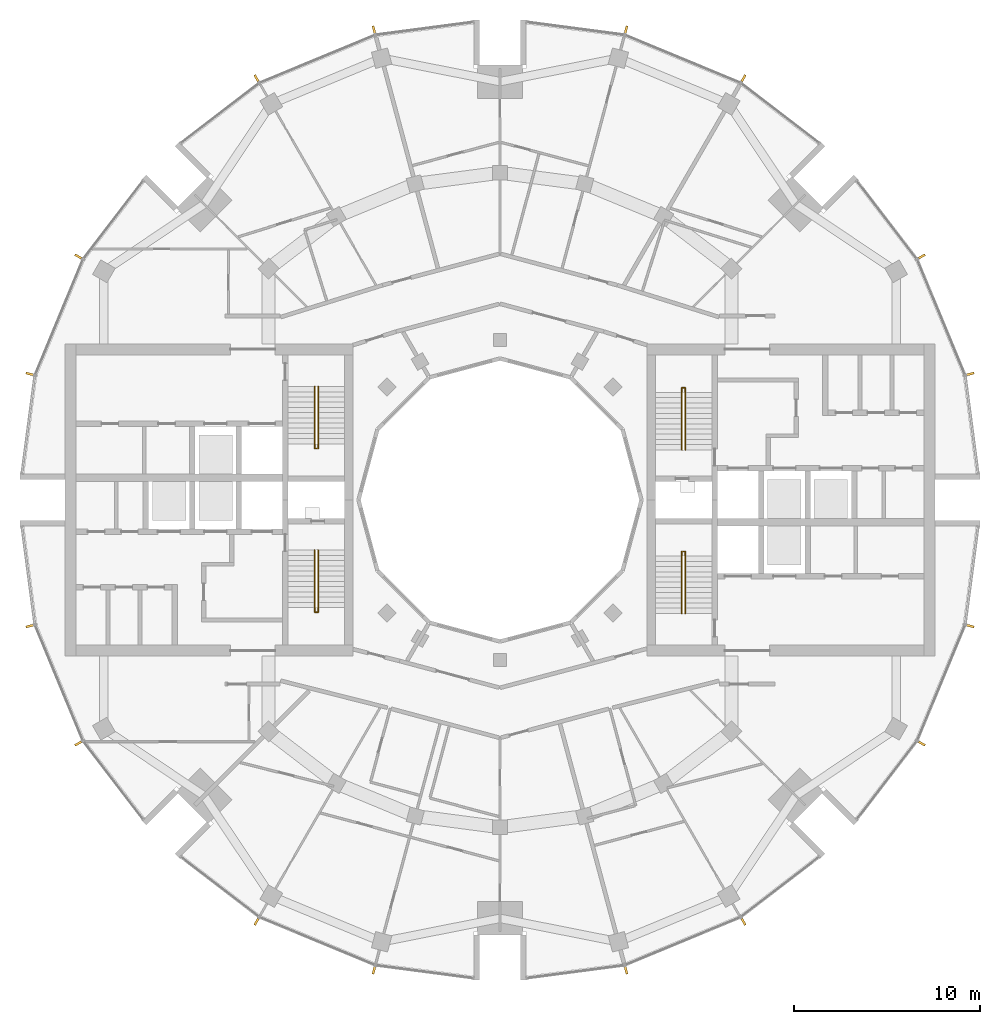
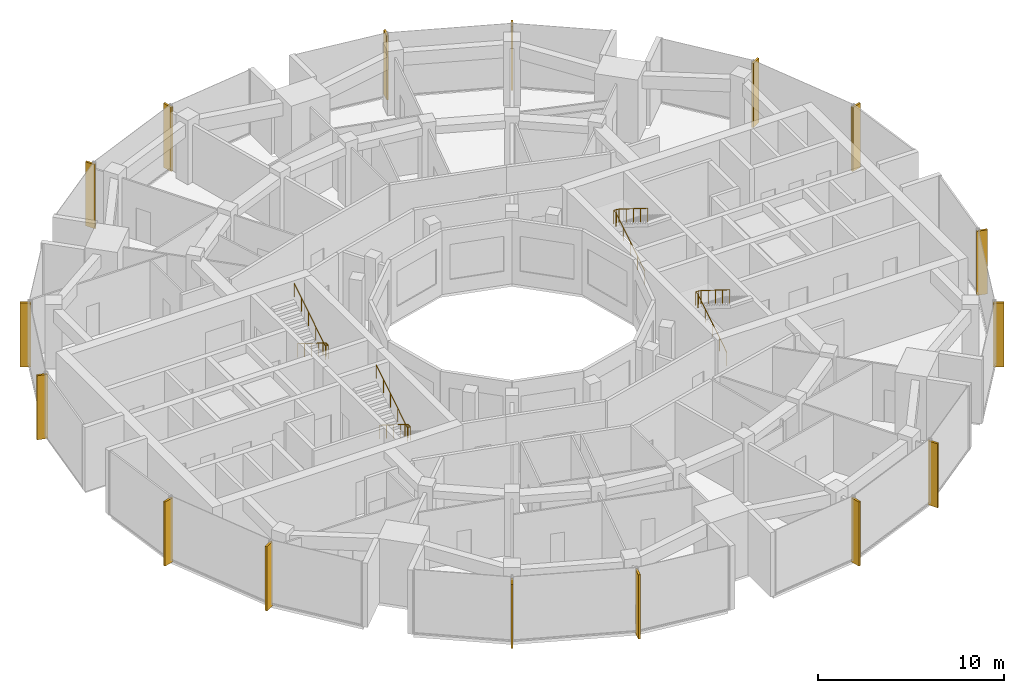
# One storey, part 14 of 15: 16 shading devices, 4 railings.
"""IFC4 building model written with IfcOpenShell, lengths in metres."""

from ifc_helpers import new_model, si_unit, direction, frame, origin, origin_2d, place, context, subcontext, project, spatial, rectangle, circle, extrude, material, material_profile, profile_set, type_object, element, save


model = new_model("IFC4")

# Units and contexts
model_context = context("Model", 3, precision=1e-05, world=origin(), true_north=direction((0.0, 1.0)))
body_context = subcontext(model_context, "Body", "Model", "MODEL_VIEW")
ifc_project = project(units=[si_unit("LENGTHUNIT", "METRE"), si_unit("AREAUNIT", "SQUARE_METRE"), si_unit("VOLUMEUNIT", "CUBIC_METRE"), si_unit("PLANEANGLEUNIT", "RADIAN"), si_unit("MASSUNIT", "GRAM", prefix="KILO")], contexts=[model_context])

# Site, building, storey
site_placement = place(None, origin())
site = spatial("IfcSite", under=ifc_project, at=site_placement, CompositionType="ELEMENT")
building_placement = place(site_placement, origin())
building = spatial("IfcBuilding", under=site, at=building_placement, Name="Torre Brocal", CompositionType="ELEMENT")
storey_placement = place(building_placement, frame((0.0, 0.0, 258.300048828125)))
storey = spatial("IfcBuildingStorey", under=building, at=storey_placement, Name="L59", CompositionType="ELEMENT", Elevation=258.300048828125)

# Shading devices
ifc_material_1 = material(Name="Aluminium, black anodised", Category="aluminium")
ifc_material_profile = material_profile(ifc_material_1, rectangle(XDim=0.1201171875, YDim=0.60009765625, at=origin_2d()), Name="FIN 120X600 4200 HIGH")
ifc_profile_set = profile_set([ifc_material_profile], Name="Aluminium, black anodised")
shading_device_type = type_object("IfcShadingDeviceType", Name="FIN 120X600 4200 HIGH", PredefinedType="USERDEFINED", material=ifc_profile_set)
for number, where, z_axis, x_axis, name in (
    (1, (105.208984375, 81.754638671875, -0.150146484375), (0.0, 0.0, 1.0), (-0.258819045103, 0.965925826289, 0.0), "FIN"),
    (2, (102.601806640625, 88.049072265625, -0.150146484375), (0.0, 0.0, 1.0), (-0.5, 0.866025403784, 0.0), "FIN"),
    (3, (93.049072265625, 97.601806640625, -0.150146484375), (0.0, 0.0, 1.0), (-0.866025403784, 0.5, 0.0), "FIN"),
    (4, (86.754638671875, 100.208984375, -0.150146484375), (0.0, 0.0, 1.0), (-0.965925826289, 0.258819045103, 0.0), "FIN"),
    (5, (73.245361328125, 100.208984375, -0.150146484375), (0.0, 0.0, 1.0), (-0.965925826289, -0.258819045103, 0.0), "FIN"),
    (6, (66.950927734375, 97.601806640625, -0.150146484375), (0.0, 0.0, 1.0), (-0.866025403784, -0.5, 0.0), "FIN"),
    (7, (57.398193359375, 88.049072265625, -0.150146484375), (0.0, 0.0, 1.0), (-0.5, -0.866025403784, 0.0), "FIN"),
    (8, (54.791015625, 81.754638671875, -0.150146484375), (0.0, 0.0, 1.0), (-0.258819045103, -0.965925826289, 0.0), "FIN"),
    (9, (54.791015625, 68.245361328125, -0.150146484375), (0.0, 0.0, 1.0), (0.258819045103, -0.965925826289, 0.0), "FIN"),
    (10, (57.398193359375, 61.950927734375, -0.150146484375), (0.0, 0.0, 1.0), (0.5, -0.866025403784, 0.0), "FIN"),
    (11, (66.950927734375, 52.398193359375, -0.150146484375), (0.0, 0.0, 1.0), (0.866025403784, -0.5, 0.0), "FIN"),
    (12, (73.245361328125, 49.791015625, -0.150146484375), (0.0, 0.0, 1.0), (0.965925826289, -0.258819045103, 0.0), "FIN"),
    (13, (86.754638671875, 49.791015625, -0.150146484375), (0.0, 0.0, 1.0), (0.965925826289, 0.258819045103, 0.0), "FIN"),
    (14, (93.049072265625, 52.398193359375, -0.150146484375), (0.0, 0.0, 1.0), (0.866025403784, 0.5, 0.0), "FIN"),
    (15, (102.601806640625, 61.950927734375, -0.150146484375), (0.0, 0.0, 1.0), (0.5, 0.866025403784, 0.0), "FIN"),
    (16, (105.208984375, 68.245361328125, -0.150146484375), (0.0, 0.0, 1.0), (0.258819045103, 0.965925826289, 0.0), "FIN"),
):
    element("IfcShadingDevice", number, at=place(storey_placement, frame(where, z_axis=z_axis, x_axis=x_axis)), inside=storey, type_object=shading_device_type, Name=name, ObjectType="FIN", PredefinedType="USERDEFINED", context=body_context, shape_type="SweptSolid", body=[
        extrude(rectangle(XDim=0.1201171875, YDim=0.60009765625, at=origin_2d()), origin(), (0.0, 0.0, 1.0), 4.2001953125),
    ])

# Railings
ifc_material_2 = material(Name="Stainless steel AISI 316", Category="steel")
railing_type = type_object("IfcRailingType", Name="STAIR HANDRAIL", PredefinedType="HANDRAIL", material=ifc_material_2)
railing_1_placement = place(storey_placement, frame((89.780029296875, 77.699951171875, 0.175048828125)))
element("IfcRailing", 17, at=railing_1_placement, inside=storey, type_object=railing_type, Name="HANDRAIL ST1", PredefinedType="HANDRAIL", context=body_context, shape_type="SweptSolid", body=[
    extrude(circle(Radius=0.02392578125, at=origin_2d()), frame((0.0, 0.0, 0.8759765625), z_axis=(0.0, 0.848028513186, 0.529950602248), x_axis=(-1.0, 0.0, 0.0)), (0.0, 0.0, 1.0), 3.632080078125),
    extrude(circle(Radius=0.02392578125, at=origin_2d()), frame((0.0, 3.080078125, 2.80078125), z_axis=(0.0, 1.0, 0.0), x_axis=(-1.0, 0.0, 0.0)), (0.0, 0.0, 1.0), 0.25),
    extrude(circle(Radius=0.02392578125, at=origin_2d()), frame((0.0, 3.330078125, 2.80078125), z_axis=(1.0, 0.0, 0.0), x_axis=(0.0, 1.0, 0.0)), (0.0, 0.0, 1.0), 0.18994140625),
    extrude(circle(Radius=0.02392578125, at=origin_2d()), frame((0.18994140625, 3.330078125, 2.80078125), z_axis=(0.0, -0.819156749665, 0.573569716318), x_axis=(1.0, 0.0, 0.0)), (0.0, 0.0, 1.0), 0.30517578125),
    extrude(circle(Radius=0.02392578125, at=origin_2d()), frame((0.18994140625, 3.080078125, 2.9755859375), z_axis=(0.0, -0.847998304005, 0.529998940003), x_axis=(1.0, 0.0, 0.0)), (0.0, 0.0, 1.0), 3.632080078125),
    extrude(circle(Radius=0.02099609375, at=origin_2d()), origin(), (0.0, 0.0, 1.0), 0.851806640625),
    extrude(circle(Radius=0.02099609375, at=origin_2d()), frame((0.0, 0.77001953125, 0.481201171875)), (0.0, 0.0, 1.0), 0.851806640625),
    extrude(circle(Radius=0.02099609375, at=origin_2d()), frame((0.0, 1.5400390625, 0.96240234375)), (0.0, 0.0, 1.0), 0.851806640625),
    extrude(circle(Radius=0.02099609375, at=origin_2d()), frame((0.0, 2.31005859375, 1.443603515625)), (0.0, 0.0, 1.0), 0.851806640625),
    extrude(circle(Radius=0.02099609375, at=origin_2d()), frame((0.0, 3.080078125, 1.9248046875)), (0.0, 0.0, 1.0), 0.851806640625),
    extrude(circle(Radius=0.02099609375, at=origin_2d()), frame((0.0, 3.330078125, 1.9248046875)), (0.0, 0.0, 1.0), 0.851806640625),
    extrude(circle(Radius=0.02099609375, at=origin_2d()), frame((0.18994140625, 3.330078125, 1.9248046875)), (0.0, 0.0, 1.0), 0.851806640625),
    extrude(circle(Radius=0.02099609375, at=origin_2d()), frame((0.18994140625, 3.080078125, 2.099853515625)), (0.0, 0.0, 1.0), 0.851806640625),
    extrude(circle(Radius=0.02099609375, at=origin_2d()), frame((0.18994140625, 2.31005859375, 2.5810546875)), (0.0, 0.0, 1.0), 0.851806640625),
    extrude(circle(Radius=0.02099609375, at=origin_2d()), frame((0.18994140625, 1.5400390625, 3.0625)), (0.0, 0.0, 1.0), 0.851806640625),
    extrude(circle(Radius=0.02099609375, at=origin_2d()), frame((0.18994140625, 0.77001953125, 3.543701171875)), (0.0, 0.0, 1.0), 0.851806640625),
    extrude(circle(Radius=0.02099609375, at=origin_2d()), frame((0.18994140625, 0.0, 4.02490234375)), (0.0, 0.0, 1.0), 0.851806640625),
])
railing_2_placement = place(storey_placement, frame((89.780029296875, 68.89990234375, 0.175048828125)))
element("IfcRailing", 18, at=railing_2_placement, inside=storey, type_object=railing_type, Name="HANDRAIL ST2", PredefinedType="HANDRAIL", context=body_context, shape_type="SweptSolid", body=[
    extrude(circle(Radius=0.02392578125, at=origin_2d()), frame((0.0, 0.0, 0.8759765625), z_axis=(0.0, 0.848028513186, 0.529950602248), x_axis=(-1.0, 0.0, 0.0)), (0.0, 0.0, 1.0), 3.632080078125),
    extrude(circle(Radius=0.02392578125, at=origin_2d()), frame((0.0, 3.080078125, 2.80078125), z_axis=(0.0, 1.0, 0.0), x_axis=(-1.0, 0.0, 0.0)), (0.0, 0.0, 1.0), 0.25),
    extrude(circle(Radius=0.02392578125, at=origin_2d()), frame((0.0, 3.330078125, 2.80078125), z_axis=(1.0, 0.0, 0.0), x_axis=(0.0, 1.0, 0.0)), (0.0, 0.0, 1.0), 0.18994140625),
    extrude(circle(Radius=0.02392578125, at=origin_2d()), frame((0.18994140625, 3.330078125, 2.80078125), z_axis=(0.0, -0.819156749665, 0.573569716318), x_axis=(1.0, 0.0, 0.0)), (0.0, 0.0, 1.0), 0.30517578125),
    extrude(circle(Radius=0.02392578125, at=origin_2d()), frame((0.18994140625, 3.080078125, 2.9755859375), z_axis=(0.0, -0.847998304005, 0.529998940003), x_axis=(1.0, 0.0, 0.0)), (0.0, 0.0, 1.0), 3.632080078125),
    extrude(circle(Radius=0.02099609375, at=origin_2d()), origin(), (0.0, 0.0, 1.0), 0.851806640625),
    extrude(circle(Radius=0.02099609375, at=origin_2d()), frame((0.0, 0.77001953125, 0.481201171875)), (0.0, 0.0, 1.0), 0.851806640625),
    extrude(circle(Radius=0.02099609375, at=origin_2d()), frame((0.0, 1.5400390625, 0.96240234375)), (0.0, 0.0, 1.0), 0.851806640625),
    extrude(circle(Radius=0.02099609375, at=origin_2d()), frame((0.0, 2.31005859375, 1.443603515625)), (0.0, 0.0, 1.0), 0.851806640625),
    extrude(circle(Radius=0.02099609375, at=origin_2d()), frame((0.0, 3.080078125, 1.9248046875)), (0.0, 0.0, 1.0), 0.851806640625),
    extrude(circle(Radius=0.02099609375, at=origin_2d()), frame((0.0, 3.330078125, 1.9248046875)), (0.0, 0.0, 1.0), 0.851806640625),
    extrude(circle(Radius=0.02099609375, at=origin_2d()), frame((0.18994140625, 3.330078125, 1.9248046875)), (0.0, 0.0, 1.0), 0.851806640625),
    extrude(circle(Radius=0.02099609375, at=origin_2d()), frame((0.18994140625, 3.080078125, 2.099853515625)), (0.0, 0.0, 1.0), 0.851806640625),
    extrude(circle(Radius=0.02099609375, at=origin_2d()), frame((0.18994140625, 2.31005859375, 2.5810546875)), (0.0, 0.0, 1.0), 0.851806640625),
    extrude(circle(Radius=0.02099609375, at=origin_2d()), frame((0.18994140625, 1.5400390625, 3.0625)), (0.0, 0.0, 1.0), 0.851806640625),
    extrude(circle(Radius=0.02099609375, at=origin_2d()), frame((0.18994140625, 0.77001953125, 3.543701171875)), (0.0, 0.0, 1.0), 0.851806640625),
    extrude(circle(Radius=0.02099609375, at=origin_2d()), frame((0.18994140625, 0.0, 4.02490234375)), (0.0, 0.0, 1.0), 0.851806640625),
])
railing_3_placement = place(storey_placement, frame((70.219970703125, 72.300048828125, 0.175048828125)))
element("IfcRailing", 19, at=railing_3_placement, inside=storey, type_object=railing_type, Name="HANDRAIL ST3", PredefinedType="HANDRAIL", context=body_context, shape_type="SweptSolid", body=[
    extrude(circle(Radius=0.02392578125, at=origin_2d()), frame((0.0, 0.0, 0.8759765625), z_axis=(0.0, -0.848028513186, 0.529950602248), x_axis=(1.0, 0.0, 0.0)), (0.0, 0.0, 1.0), 3.632080078125),
    extrude(circle(Radius=0.02392578125, at=origin_2d()), frame((0.0, -3.080078125, 2.80078125), z_axis=(0.0, -1.0, 0.0), x_axis=(1.0, 0.0, 0.0)), (0.0, 0.0, 1.0), 0.25),
    extrude(circle(Radius=0.02392578125, at=origin_2d()), frame((0.0, -3.330078125, 2.80078125), z_axis=(-1.0, 0.0, 0.0), x_axis=(0.0, -1.0, 0.0)), (0.0, 0.0, 1.0), 0.18994140625),
    extrude(circle(Radius=0.02392578125, at=origin_2d()), frame((-0.18994140625, -3.330078125, 2.80078125), z_axis=(0.0, 0.819156749665, 0.573569716318), x_axis=(-1.0, 0.0, 0.0)), (0.0, 0.0, 1.0), 0.30517578125),
    extrude(circle(Radius=0.02392578125, at=origin_2d()), frame((-0.18994140625, -3.080078125, 2.9755859375), z_axis=(0.0, 0.847998304005, 0.529998940003), x_axis=(-1.0, 0.0, 0.0)), (0.0, 0.0, 1.0), 3.632080078125),
    extrude(circle(Radius=0.02099609375, at=origin_2d()), origin(), (0.0, 0.0, 1.0), 0.851806640625),
    extrude(circle(Radius=0.02099609375, at=origin_2d()), frame((0.0, -0.77001953125, 0.481201171875)), (0.0, 0.0, 1.0), 0.851806640625),
    extrude(circle(Radius=0.02099609375, at=origin_2d()), frame((0.0, -1.5400390625, 0.96240234375)), (0.0, 0.0, 1.0), 0.851806640625),
    extrude(circle(Radius=0.02099609375, at=origin_2d()), frame((0.0, -2.31005859375, 1.443603515625)), (0.0, 0.0, 1.0), 0.851806640625),
    extrude(circle(Radius=0.02099609375, at=origin_2d()), frame((0.0, -3.080078125, 1.9248046875)), (0.0, 0.0, 1.0), 0.851806640625),
    extrude(circle(Radius=0.02099609375, at=origin_2d()), frame((0.0, -3.330078125, 1.9248046875)), (0.0, 0.0, 1.0), 0.851806640625),
    extrude(circle(Radius=0.02099609375, at=origin_2d()), frame((-0.18994140625, -3.330078125, 1.9248046875)), (0.0, 0.0, 1.0), 0.851806640625),
    extrude(circle(Radius=0.02099609375, at=origin_2d()), frame((-0.18994140625, -3.080078125, 2.099853515625)), (0.0, 0.0, 1.0), 0.851806640625),
    extrude(circle(Radius=0.02099609375, at=origin_2d()), frame((-0.18994140625, -2.31005859375, 2.5810546875)), (0.0, 0.0, 1.0), 0.851806640625),
    extrude(circle(Radius=0.02099609375, at=origin_2d()), frame((-0.18994140625, -1.5400390625, 3.0625)), (0.0, 0.0, 1.0), 0.851806640625),
    extrude(circle(Radius=0.02099609375, at=origin_2d()), frame((-0.18994140625, -0.77001953125, 3.543701171875)), (0.0, 0.0, 1.0), 0.851806640625),
    extrude(circle(Radius=0.02099609375, at=origin_2d()), frame((-0.18994140625, 0.0, 4.02490234375)), (0.0, 0.0, 1.0), 0.851806640625),
])
railing_4_placement = place(storey_placement, frame((70.219970703125, 81.10009765625, 0.175048828125)))
element("IfcRailing", 20, at=railing_4_placement, inside=storey, type_object=railing_type, Name="HANDRAIL ST4", PredefinedType="HANDRAIL", context=body_context, shape_type="SweptSolid", body=[
    extrude(circle(Radius=0.02392578125, at=origin_2d()), frame((0.0, 0.0, 0.8759765625), z_axis=(0.0, -0.848028513186, 0.529950602248), x_axis=(1.0, 0.0, 0.0)), (0.0, 0.0, 1.0), 3.632080078125),
    extrude(circle(Radius=0.02392578125, at=origin_2d()), frame((0.0, -3.080078125, 2.80078125), z_axis=(0.0, -1.0, 0.0), x_axis=(1.0, 0.0, 0.0)), (0.0, 0.0, 1.0), 0.25),
    extrude(circle(Radius=0.02392578125, at=origin_2d()), frame((0.0, -3.330078125, 2.80078125), z_axis=(-1.0, 0.0, 0.0), x_axis=(0.0, -1.0, 0.0)), (0.0, 0.0, 1.0), 0.18994140625),
    extrude(circle(Radius=0.02392578125, at=origin_2d()), frame((-0.18994140625, -3.330078125, 2.80078125), z_axis=(0.0, 0.819156749665, 0.573569716318), x_axis=(-1.0, 0.0, 0.0)), (0.0, 0.0, 1.0), 0.30517578125),
    extrude(circle(Radius=0.02392578125, at=origin_2d()), frame((-0.18994140625, -3.080078125, 2.9755859375), z_axis=(0.0, 0.847998304005, 0.529998940003), x_axis=(-1.0, 0.0, 0.0)), (0.0, 0.0, 1.0), 3.632080078125),
    extrude(circle(Radius=0.02099609375, at=origin_2d()), origin(), (0.0, 0.0, 1.0), 0.851806640625),
    extrude(circle(Radius=0.02099609375, at=origin_2d()), frame((0.0, -0.77001953125, 0.481201171875)), (0.0, 0.0, 1.0), 0.851806640625),
    extrude(circle(Radius=0.02099609375, at=origin_2d()), frame((0.0, -1.5400390625, 0.96240234375)), (0.0, 0.0, 1.0), 0.851806640625),
    extrude(circle(Radius=0.02099609375, at=origin_2d()), frame((0.0, -2.31005859375, 1.443603515625)), (0.0, 0.0, 1.0), 0.851806640625),
    extrude(circle(Radius=0.02099609375, at=origin_2d()), frame((0.0, -3.080078125, 1.9248046875)), (0.0, 0.0, 1.0), 0.851806640625),
    extrude(circle(Radius=0.02099609375, at=origin_2d()), frame((0.0, -3.330078125, 1.9248046875)), (0.0, 0.0, 1.0), 0.851806640625),
    extrude(circle(Radius=0.02099609375, at=origin_2d()), frame((-0.18994140625, -3.330078125, 1.9248046875)), (0.0, 0.0, 1.0), 0.851806640625),
    extrude(circle(Radius=0.02099609375, at=origin_2d()), frame((-0.18994140625, -3.080078125, 2.099853515625)), (0.0, 0.0, 1.0), 0.851806640625),
    extrude(circle(Radius=0.02099609375, at=origin_2d()), frame((-0.18994140625, -2.31005859375, 2.5810546875)), (0.0, 0.0, 1.0), 0.851806640625),
    extrude(circle(Radius=0.02099609375, at=origin_2d()), frame((-0.18994140625, -1.5400390625, 3.0625)), (0.0, 0.0, 1.0), 0.851806640625),
    extrude(circle(Radius=0.02099609375, at=origin_2d()), frame((-0.18994140625, -0.77001953125, 3.543701171875)), (0.0, 0.0, 1.0), 0.851806640625),
    extrude(circle(Radius=0.02099609375, at=origin_2d()), frame((-0.18994140625, 0.0, 4.02490234375)), (0.0, 0.0, 1.0), 0.851806640625),
])

save(model, "model.ifc")
